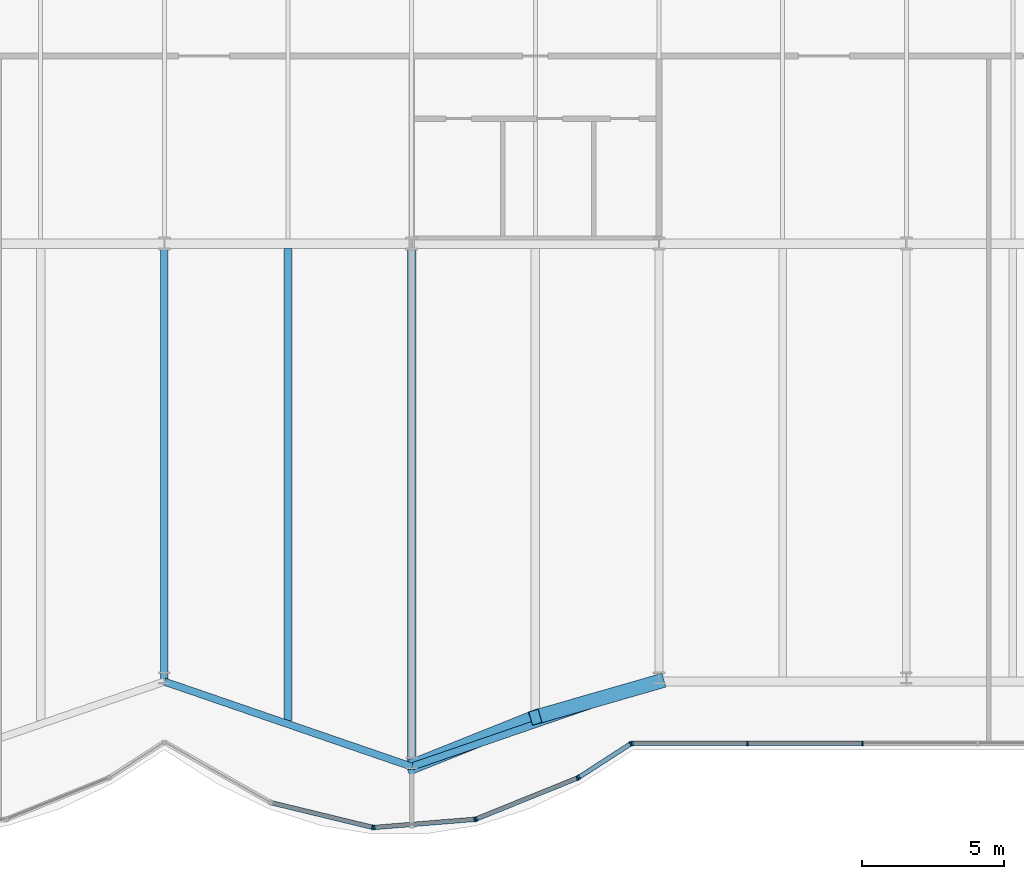
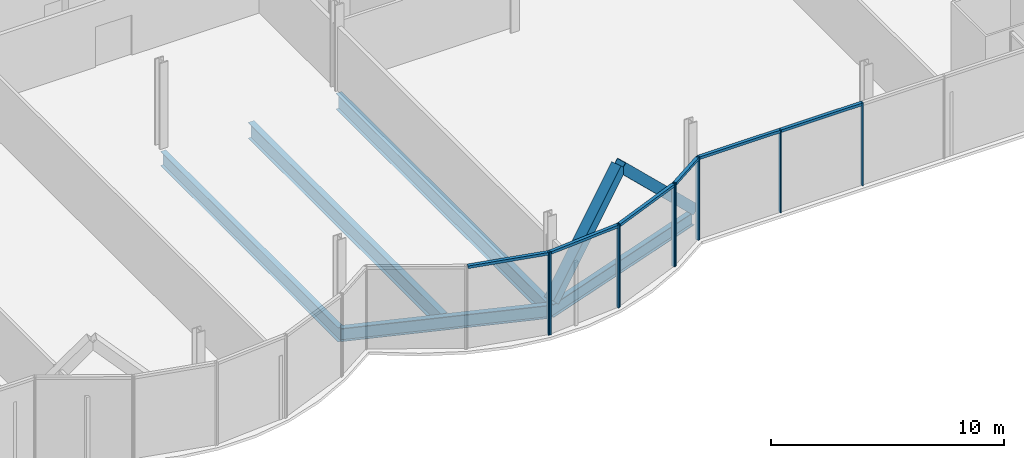
# One storey, part 8 of 21: 18 members, 5 beams, 2 elements without a shape of their own.
"""IFC4 building model written with IfcOpenShell, lengths in metres."""

from ifc_helpers import new_model, si_unit, direction, frame, origin, origin_2d, place, context, subcontext, project, spatial, rectangle, hollow_rectangle, i_section, extrude, material, material_profile, profile_set, type_object, element, aggregate, save


model = new_model("IFC4")

# Units and contexts
model_context = context("Model", 3, precision=1e-05, world=origin(), true_north=direction((0.0, 1.0)))
body_context = subcontext(model_context, "Body", "Model", "MODEL_VIEW")
ifc_project = project(units=[si_unit("LENGTHUNIT", "METRE"), si_unit("AREAUNIT", "SQUARE_METRE"), si_unit("VOLUMEUNIT", "CUBIC_METRE"), si_unit("PLANEANGLEUNIT", "RADIAN"), si_unit("MASSUNIT", "GRAM", prefix="KILO")], contexts=[model_context])

# Site, building, storey
site_placement = place(None, origin())
site = spatial("IfcSite", under=ifc_project, at=site_placement, CompositionType="ELEMENT")
building_placement = place(site_placement, origin())
building = spatial("IfcBuilding", under=site, at=building_placement, Name="Bicima Exchange Tower", CompositionType="ELEMENT")
storey_placement = place(building_placement, frame((0.0, 0.0, 75.5)))
storey = spatial("IfcBuildingStorey", under=building, at=storey_placement, Name="L15", CompositionType="ELEMENT", Elevation=75.5)

# Beams
ifc_material_1 = material(Name="Steel ASTM A992 Gr 50", Category="steel")
ifc_material_profile_1 = material_profile(ifc_material_1, i_section(OverallWidth=0.2666015625, OverallDepth=0.75439453125, WebThickness=0.01318359375, FlangeThickness=0.01708984375, at=origin_2d()))
ifc_profile_set_1 = profile_set([ifc_material_profile_1], Name="Steel ASTM A992 Gr 50")
beam_type_1 = type_object("IfcBeamType", Name="Floor beam W30x99", PredefinedType="JOIST", material=ifc_profile_set_1)
beam_1_placement = place(storey_placement, frame((0.0, -22.16259765625, -0.527099609375), z_axis=(0.0, -1.0, 0.0), x_axis=(1.0, 0.0, 0.0)))
element("IfcBeam", 1, at=beam_1_placement, inside=storey, type_object=beam_type_1, Name="Floor beam", PredefinedType="JOIST", context=body_context, shape_type="SweptSolid", body=[
    extrude(i_section(OverallWidth=0.2666015625, OverallDepth=0.75439453125, WebThickness=0.01318359375, FlangeThickness=0.01708984375, at=origin_2d()), origin(), (0.0, 0.0, 1.0), 15.241455078125),
])
ifc_material_profile_2 = material_profile(ifc_material_1, i_section(OverallWidth=0.2919921875, OverallDepth=0.835693359375, WebThickness=0.013916015625, FlangeThickness=0.018798828125, at=origin_2d()))
ifc_profile_set_2 = profile_set([ifc_material_profile_2], Name="Steel ASTM A992 Gr 50")
beam_type_2 = type_object("IfcBeamType", Name="Floor beam W33x118", PredefinedType="JOIST", material=ifc_profile_set_2)
beam_2_placement = place(storey_placement, frame((4.35009765625, -22.16259765625, -0.56787109375), z_axis=(0.0, -1.0, 0.0), x_axis=(1.0, 0.0, 0.0)))
element("IfcBeam", 2, at=beam_2_placement, inside=storey, type_object=beam_type_2, Name="Floor beam", PredefinedType="JOIST", context=body_context, shape_type="SweptSolid", body=[
    extrude(i_section(OverallWidth=0.2919921875, OverallDepth=0.835693359375, WebThickness=0.013916015625, FlangeThickness=0.018798828125, at=origin_2d()), origin(), (0.0, 0.0, 1.0), 16.601318359375),
])
beam_3_placement = place(storey_placement, frame((8.699951171875, -22.16259765625, -0.56787109375), z_axis=(0.0, -1.0, 0.0), x_axis=(1.0, 0.0, 0.0)))
element("IfcBeam", 3, at=beam_3_placement, inside=storey, type_object=beam_type_2, Name="Floor beam", PredefinedType="JOIST", context=body_context, shape_type="SweptSolid", body=[
    extrude(i_section(OverallWidth=0.2919921875, OverallDepth=0.835693359375, WebThickness=0.013916015625, FlangeThickness=0.018798828125, at=origin_2d()), origin(), (0.0, 0.0, 1.0), 18.096923828125),
])
ifc_material_profile_3 = material_profile(ifc_material_1, i_section(OverallWidth=0.256591796875, OverallDepth=0.693359375, WebThickness=0.014404296875, FlangeThickness=0.023681640625, at=origin_2d()))
ifc_profile_set_3 = profile_set([ifc_material_profile_3], Name="Steel ASTM A992 Gr 50")
beam_type_3 = type_object("IfcBeamType", Name="Front girder W27x114", PredefinedType="BEAM", material=ifc_profile_set_3)
for number, where, z_axis, x_axis, name in (
    (4, (0.0, -37.404052734375, -0.49658203125), (0.945674616091, -0.32511462668, 0.0), (0.32511462668, 0.945674616091, 0.0), "Front girder"),
    (5, (8.699951171875, -40.39501953125, -0.49658203125), (0.945674616091, 0.32511462668, 0.0), (-0.32511462668, 0.945674616091, 0.0), "Front girder"),
):
    element("IfcBeam", number, at=place(storey_placement, frame(where, z_axis=z_axis, x_axis=x_axis)), inside=storey, type_object=beam_type_3, Name=name, PredefinedType="BEAM", context=body_context, shape_type="SweptSolid", body=[
        extrude(i_section(OverallWidth=0.256591796875, OverallDepth=0.693359375, WebThickness=0.014404296875, FlangeThickness=0.023681640625, at=origin_2d()), origin(), (0.0, 0.0, 1.0), 9.19970703125),
    ])

# Curtain wall, members
ifc_material_2 = material(Name="Anodised bronze aluminium", Category="aluminium")
curtain_wall_type = type_object("IfcCurtainWallType", Name="Front glass wall", PredefinedType="NOTDEFINED", material=ifc_material_2)
curtain_wall_1_placement = place(storey_placement, origin())
curtain_wall_1 = element("IfcCurtainWall", 6, at=curtain_wall_1_placement, inside=storey, type_object=curtain_wall_type, Name="Front glass wall L15 run 11", PredefinedType="NOTDEFINED")
ifc_material_profile_4 = material_profile(ifc_material_2, rectangle(XDim=0.159912109375, YDim=0.06005859375, at=origin_2d()))
ifc_profile_set_4 = profile_set([ifc_material_profile_4], Name="Anodised bronze aluminium")
member_type_1 = type_object("IfcMemberType", Name="Front glass wall mullion 60 x 160", PredefinedType="MULLION", material=ifc_profile_set_4)
member_1_placement = place(storey_placement, frame((7.322509765625, -42.52978515625, 0.0), z_axis=(0.0, 0.0, 1.0), x_axis=(0.235681529503, 0.971830343553, 0.0)))
member_1 = element("IfcMember", 7, at=member_1_placement, type_object=member_type_1, Name="Front glass wall mullion 2", PredefinedType="MULLION", context=body_context, shape_type="SweptSolid", body=[
    extrude(rectangle(XDim=0.159912109375, YDim=0.06005859375, at=origin_2d()), origin(), (0.0, 0.0, 1.0), 4.35009765625),
])
member_2_placement = place(storey_placement, frame((7.381591796875, -42.53466796875, 0.0), z_axis=(0.0, 0.0, 1.0), x_axis=(-0.080588612633, 0.99674744821, 0.0)))
member_2 = element("IfcMember", 8, at=member_2_placement, type_object=member_type_1, Name="Front glass wall mullion 1", PredefinedType="MULLION", context=body_context, shape_type="SweptSolid", body=[
    extrude(rectangle(XDim=0.159912109375, YDim=0.06005859375, at=origin_2d()), origin(), (0.0, 0.0, 1.0), 4.35009765625),
])
member_3_placement = place(storey_placement, frame((10.916015625, -42.248779296875, 0.0), z_axis=(0.0, 0.0, 1.0), x_axis=(-0.080588612633, 0.99674744821, 0.0)))
member_3 = element("IfcMember", 9, at=member_3_placement, type_object=member_type_1, Name="Front glass wall mullion 2", PredefinedType="MULLION", context=body_context, shape_type="SweptSolid", body=[
    extrude(rectangle(XDim=0.159912109375, YDim=0.06005859375, at=origin_2d()), origin(), (0.0, 0.0, 1.0), 4.35009765625),
])
member_4_placement = place(storey_placement, frame((10.973876953125, -42.235107421875, 0.0), z_axis=(0.0, 0.0, 1.0), x_axis=(-0.374705304, 0.92714396679, 0.0)))
member_4 = element("IfcMember", 10, at=member_4_placement, type_object=member_type_1, Name="Front glass wall mullion 1", PredefinedType="MULLION", context=body_context, shape_type="SweptSolid", body=[
    extrude(rectangle(XDim=0.159912109375, YDim=0.06005859375, at=origin_2d()), origin(), (0.0, 0.0, 1.0), 4.35009765625),
])
member_5_placement = place(storey_placement, frame((14.52587890625, -40.799560546875, 0.0), z_axis=(0.0, 0.0, 1.0), x_axis=(-0.374705304, 0.92714396679, 0.0)))
member_5 = element("IfcMember", 11, at=member_5_placement, type_object=member_type_1, Name="Front glass wall mullion 2", PredefinedType="MULLION", context=body_context, shape_type="SweptSolid", body=[
    extrude(rectangle(XDim=0.159912109375, YDim=0.06005859375, at=origin_2d()), origin(), (0.0, 0.0, 1.0), 4.35009765625),
])
member_6_placement = place(storey_placement, frame((14.578857421875, -40.772216796875, 0.0), z_axis=(0.0, 0.0, 1.0), x_axis=(-0.542909183079, 0.839791413941, 0.0)))
member_6 = element("IfcMember", 12, at=member_6_placement, type_object=member_type_1, Name="Front glass wall mullion 1", PredefinedType="MULLION", context=body_context, shape_type="SweptSolid", body=[
    extrude(rectangle(XDim=0.159912109375, YDim=0.06005859375, at=origin_2d()), origin(), (0.0, 0.0, 1.0), 4.35009765625),
])
member_7_placement = place(storey_placement, frame((16.406982421875, -39.59033203125, 0.0), z_axis=(0.0, 0.0, 1.0), x_axis=(-0.542909183079, 0.839791413941, 0.0)))
member_7 = element("IfcMember", 13, at=member_7_placement, type_object=member_type_1, Name="Front glass wall mullion 2", PredefinedType="MULLION", context=body_context, shape_type="SweptSolid", body=[
    extrude(rectangle(XDim=0.159912109375, YDim=0.06005859375, at=origin_2d()), origin(), (0.0, 0.0, 1.0), 4.35009765625),
])

curtain_wall_2_placement = place(storey_placement, origin())
curtain_wall_2 = element("IfcCurtainWall", 14, at=curtain_wall_2_placement, inside=storey, type_object=curtain_wall_type, Name="Front glass wall L15 run 16", PredefinedType="NOTDEFINED")
member_8_placement = place(storey_placement, frame((16.462158203125, -39.573974609375, 0.0), z_axis=(0.0, 0.0, 1.0), x_axis=(0.0, 1.0, 0.0)))
member_8 = element("IfcMember", 15, at=member_8_placement, type_object=member_type_1, Name="Front glass wall mullion 1", PredefinedType="MULLION", context=body_context, shape_type="SweptSolid", body=[
    extrude(rectangle(XDim=0.159912109375, YDim=0.06005859375, at=origin_2d()), origin(), (0.0, 0.0, 1.0), 4.35009765625),
])
member_9_placement = place(storey_placement, frame((20.51171875, -39.573974609375, 0.0), z_axis=(0.0, 0.0, 1.0), x_axis=(0.0, 1.0, 0.0)))
member_9 = element("IfcMember", 16, at=member_9_placement, type_object=member_type_1, Name="Front glass wall mullion 2", PredefinedType="MULLION", context=body_context, shape_type="SweptSolid", body=[
    extrude(rectangle(XDim=0.159912109375, YDim=0.06005859375, at=origin_2d()), origin(), (0.0, 0.0, 1.0), 4.35009765625),
])
member_10_placement = place(storey_placement, frame((24.56103515625, -39.573974609375, 0.0), z_axis=(0.0, 0.0, 1.0), x_axis=(0.0, 1.0, 0.0)))
member_10 = element("IfcMember", 17, at=member_10_placement, type_object=member_type_1, Name="Front glass wall mullion 3", PredefinedType="MULLION", context=body_context, shape_type="SweptSolid", body=[
    extrude(rectangle(XDim=0.159912109375, YDim=0.06005859375, at=origin_2d()), origin(), (0.0, 0.0, 1.0), 4.35009765625),
])

# Member
ifc_material_profile_5 = material_profile(ifc_material_2, rectangle(XDim=0.159912109375, YDim=0.139892578125, at=origin_2d()))
ifc_profile_set_5 = profile_set([ifc_material_profile_5], Name="Anodised bronze aluminium")
member_type_2 = type_object("IfcMemberType", Name="Front glass wall transom 140 x 160", PredefinedType="USERDEFINED", material=ifc_profile_set_5)
member_11_placement = place(storey_placement, frame((3.81103515625, -41.67822265625, 4.280029296875), z_axis=(0.971817951661, -0.235732621477, 0.0), x_axis=(0.235732621477, 0.971817951661, 0.0)))
member_11 = element("IfcMember", 18, at=member_11_placement, type_object=member_type_2, Name="Front glass wall transom 1.1", ObjectType="TRANSOM", PredefinedType="USERDEFINED", context=body_context, shape_type="SweptSolid", body=[
    extrude(rectangle(XDim=0.159912109375, YDim=0.139892578125, at=origin_2d()), origin(), (0.0, 0.0, 1.0), 3.58349609375),
])

member_12_placement = place(storey_placement, frame((7.41162109375, -42.5322265625, 4.280029296875), z_axis=(0.9967456465, 0.080610893699, 0.0), x_axis=(-0.080610893699, 0.9967456465, 0.0)))
member_12 = element("IfcMember", 19, at=member_12_placement, type_object=member_type_2, Name="Front glass wall transom 1.1", ObjectType="TRANSOM", PredefinedType="USERDEFINED", context=body_context, shape_type="SweptSolid", body=[
    extrude(rectangle(XDim=0.159912109375, YDim=0.139892578125, at=origin_2d()), origin(), (0.0, 0.0, 1.0), 3.48583984375),
])

member_13_placement = place(storey_placement, frame((11.001708984375, -42.223876953125, 4.280029296875), z_axis=(0.927140215882, 0.374714584842, 0.0), x_axis=(-0.374714584842, 0.927140215882, 0.0)))
member_13 = element("IfcMember", 20, at=member_13_placement, type_object=member_type_2, Name="Front glass wall transom 1.1", ObjectType="TRANSOM", PredefinedType="USERDEFINED", context=body_context, shape_type="SweptSolid", body=[
    extrude(rectangle(XDim=0.159912109375, YDim=0.139892578125, at=origin_2d()), origin(), (0.0, 0.0, 1.0), 3.77099609375),
])

member_14_placement = place(storey_placement, frame((14.60400390625, -40.755859375, 4.280029296875), z_axis=(0.839792890287, 0.542906899407, 0.0), x_axis=(-0.542906899407, 0.839792890287, 0.0)))
member_14 = element("IfcMember", 21, at=member_14_placement, type_object=member_type_2, Name="Front glass wall transom 1.1", ObjectType="TRANSOM", PredefinedType="USERDEFINED", context=body_context, shape_type="SweptSolid", body=[
    extrude(rectangle(XDim=0.159912109375, YDim=0.139892578125, at=origin_2d()), origin(), (0.0, 0.0, 1.0), 2.11669921875),
])

aggregate(curtain_wall_1, [member_1, member_11, member_2, member_3, member_12, member_4, member_5, member_13, member_6, member_7, member_14])

member_15_placement = place(storey_placement, frame((16.4921875, -39.573974609375, 4.280029296875), z_axis=(1.0, 0.0, 0.0), x_axis=(0.0, 1.0, 0.0)))
member_15 = element("IfcMember", 22, at=member_15_placement, type_object=member_type_2, Name="Front glass wall transom 1.1", ObjectType="TRANSOM", PredefinedType="USERDEFINED", context=body_context, shape_type="SweptSolid", body=[
    extrude(rectangle(XDim=0.159912109375, YDim=0.139892578125, at=origin_2d()), origin(), (0.0, 0.0, 1.0), 3.989501953125),
])

member_16_placement = place(storey_placement, frame((20.54150390625, -39.573974609375, 4.280029296875), z_axis=(1.0, 0.0, 0.0), x_axis=(0.0, 1.0, 0.0)))
member_16 = element("IfcMember", 23, at=member_16_placement, type_object=member_type_2, Name="Front glass wall transom 2.1", ObjectType="TRANSOM", PredefinedType="USERDEFINED", context=body_context, shape_type="SweptSolid", body=[
    extrude(rectangle(XDim=0.159912109375, YDim=0.139892578125, at=origin_2d()), origin(), (0.0, 0.0, 1.0), 3.989501953125),
])

aggregate(curtain_wall_2, [member_8, member_9, member_10, member_15, member_16])

# Members
ifc_material_3 = material(Name="Steel ASTM A572 Gr 50", Category="steel")
ifc_material_profile_6 = material_profile(ifc_material_3, hollow_rectangle(XDim=0.508056640625, YDim=0.508056640625, WallThickness=0.017822265625, at=origin_2d()))
ifc_profile_set_6 = profile_set([ifc_material_profile_6], Name="Steel ASTM A572 Gr 50")
member_type_3 = type_object("IfcMemberType", Name="Mega brace HSS20x20x3/4", PredefinedType="BRACE", material=ifc_profile_set_6)
member_17_placement = place(storey_placement, frame((8.699951171875, -40.39501953125, 0.0), z_axis=(0.669648363719, 0.26777666357, 0.692724135148), x_axis=(-0.371291842786, 0.928516218211, 0.0)))
element("IfcMember", 24, at=member_17_placement, inside=storey, type_object=member_type_3, Name="Mega brace front", PredefinedType="BRACE", context=body_context, shape_type="SweptSolid", body=[
    extrude(hollow_rectangle(XDim=0.508056640625, YDim=0.508056640625, WallThickness=0.017822265625, at=origin_2d()), origin(), (0.0, 0.0, 1.0), 6.49609375),
])
member_18_placement = place(storey_placement, frame((17.39990234375, -37.404052734375, 0.0), z_axis=(-0.681519101026, -0.196074923492, 0.705043501718), x_axis=(0.27648739579, -0.961017544049, 0.0)))
element("IfcMember", 25, at=member_18_placement, inside=storey, type_object=member_type_3, Name="Mega brace front", PredefinedType="BRACE", context=body_context, shape_type="SweptSolid", body=[
    extrude(hollow_rectangle(XDim=0.508056640625, YDim=0.508056640625, WallThickness=0.017822265625, at=origin_2d()), origin(), (0.0, 0.0, 1.0), 6.382568359375),
])

save(model, "model.ifc")
